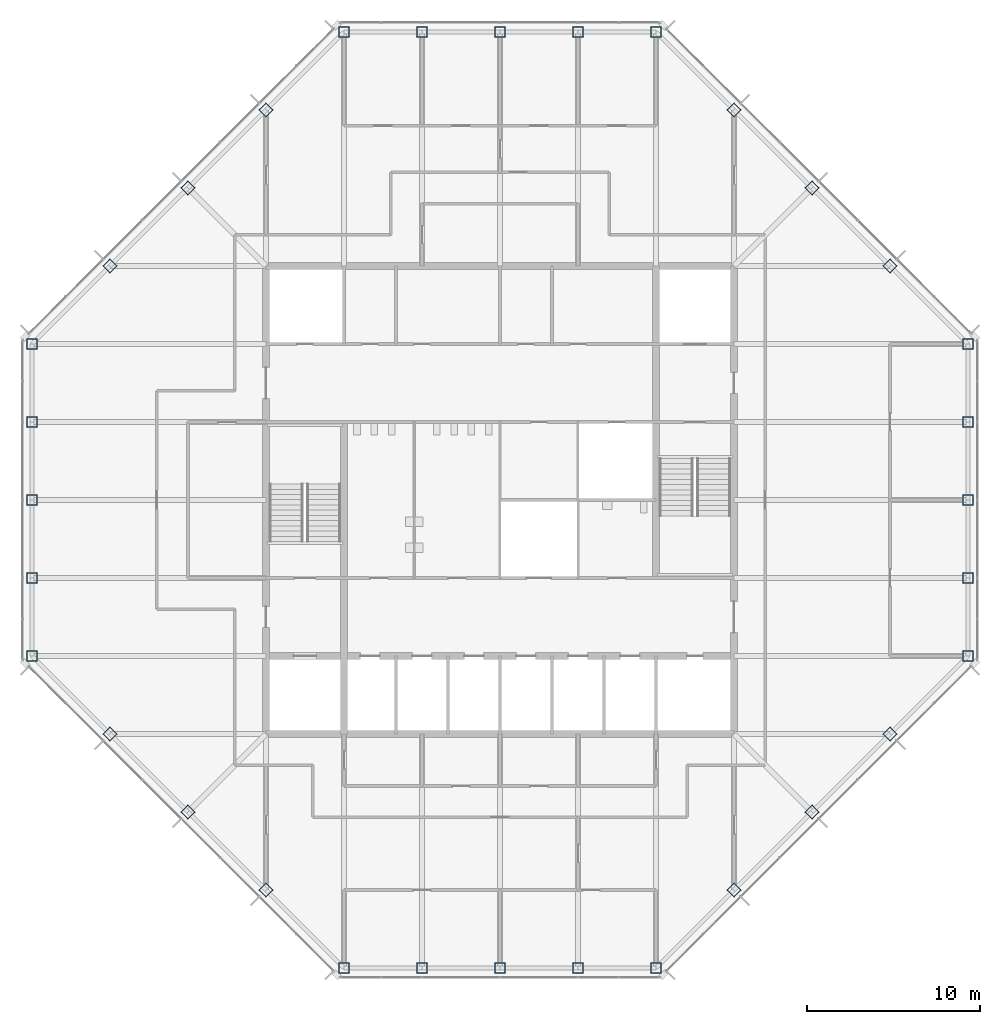
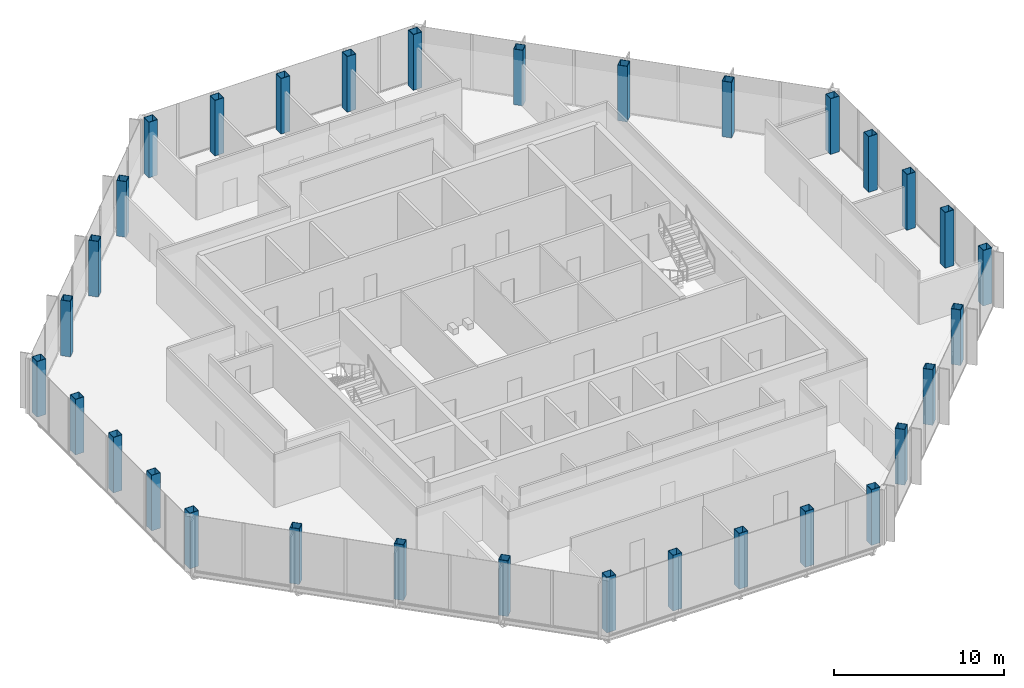
# One storey, part 1 of 14: 32 columns.
"""IFC4 building model written with IfcOpenShell, lengths in metres."""

from ifc_helpers import new_model, si_unit, direction, frame, origin, origin_2d, place, context, subcontext, project, spatial, hollow_rectangle, extrude, material, material_profile, profile_set, type_object, element, save


model = new_model("IFC4")

# Units and contexts
model_context = context("Model", 3, precision=1e-05, world=origin(), true_north=direction((0.0, 1.0)))
body_context = subcontext(model_context, "Body", "Model", "MODEL_VIEW")
ifc_project = project(units=[si_unit("LENGTHUNIT", "METRE"), si_unit("AREAUNIT", "SQUARE_METRE"), si_unit("VOLUMEUNIT", "CUBIC_METRE"), si_unit("PLANEANGLEUNIT", "RADIAN"), si_unit("MASSUNIT", "GRAM", prefix="KILO")], contexts=[model_context])

# Site, building, storey
site_placement = place(None, origin())
site = spatial("IfcSite", under=ifc_project, at=site_placement, CompositionType="ELEMENT")
building_placement = place(site_placement, origin())
building = spatial("IfcBuilding", under=site, at=building_placement, Name="Corais Broadcast Tower", CompositionType="ELEMENT")
storey_placement = place(building_placement, frame((0.0, 0.0, 282.60009765625)))
storey = spatial("IfcBuildingStorey", under=building, at=storey_placement, Name="L66", CompositionType="ELEMENT", Elevation=282.60009765625)

# Columns
ifc_material = material(Name="Steel ASTM A572 Grade 50", Category="steel")
ifc_material_profile = material_profile(ifc_material, hollow_rectangle(XDim=0.60009765625, YDim=0.60009765625, WallThickness=0.028076171875, at=origin_2d()), Name="BOX 600x600x28")
ifc_profile_set = profile_set([ifc_material_profile], Name="Steel ASTM A572 Grade 50")
column_type = type_object("IfcColumnType", Name="Column BOX 600x600x28", PredefinedType="COLUMN", material=ifc_profile_set)
for number, where, z_axis, x_axis, name in (
    (1, (18.0, 0.0, 0.0), (0.0, 0.0, 1.0), (1.0, 0.0, 0.0), "C7 A/7"),
    (2, (22.5, 0.0, 0.0), (0.0, 0.0, 1.0), (1.0, 0.0, 0.0), "C7 A/8"),
    (3, (27.0, 0.0, 0.0), (0.0, 0.0, 1.0), (1.0, 0.0, 0.0), "C7 A/9"),
    (4, (31.5, 0.0, 0.0), (0.0, 0.0, 1.0), (1.0, 0.0, 0.0), "C7 A/10"),
    (5, (36.0, 0.0, 0.0), (0.0, 0.0, 1.0), (1.0, 0.0, 0.0), "C7 A/11"),
    (6, (54.0, 18.0, 0.0), (0.0, 0.0, 1.0), (1.0, 0.0, 0.0), "C7 E/15"),
    (7, (54.0, 22.5, 0.0), (0.0, 0.0, 1.0), (1.0, 0.0, 0.0), "C7 F/15"),
    (8, (54.0, 27.0, 0.0), (0.0, 0.0, 1.0), (1.0, 0.0, 0.0), "C7 G/15"),
    (9, (54.0, 31.5, 0.0), (0.0, 0.0, 1.0), (1.0, 0.0, 0.0), "C7 H/15"),
    (10, (54.0, 36.0, 0.0), (0.0, 0.0, 1.0), (1.0, 0.0, 0.0), "C7 J/15"),
    (11, (36.0, 54.0, 0.0), (0.0, 0.0, 1.0), (1.0, 0.0, 0.0), "C7 N/11"),
    (12, (31.5, 54.0, 0.0), (0.0, 0.0, 1.0), (1.0, 0.0, 0.0), "C7 N/10"),
    (13, (27.0, 54.0, 0.0), (0.0, 0.0, 1.0), (1.0, 0.0, 0.0), "C7 N/9"),
    (14, (22.5, 54.0, 0.0), (0.0, 0.0, 1.0), (1.0, 0.0, 0.0), "C7 N/8"),
    (15, (18.0, 54.0, 0.0), (0.0, 0.0, 1.0), (1.0, 0.0, 0.0), "C7 N/7"),
    (16, (0.0, 36.0, 0.0), (0.0, 0.0, 1.0), (1.0, 0.0, 0.0), "C7 J/3"),
    (17, (0.0, 31.5, 0.0), (0.0, 0.0, 1.0), (1.0, 0.0, 0.0), "C7 H/3"),
    (18, (0.0, 27.0, 0.0), (0.0, 0.0, 1.0), (1.0, 0.0, 0.0), "C7 G/3"),
    (19, (0.0, 22.5, 0.0), (0.0, 0.0, 1.0), (1.0, 0.0, 0.0), "C7 F/3"),
    (20, (0.0, 18.0, 0.0), (0.0, 0.0, 1.0), (1.0, 0.0, 0.0), "C7 E/3"),
    (21, (13.5, 4.5, 0.0), (0.0, 0.0, 1.0), (0.707106781187, 0.707106781187, 0.0), "C7 B/6"),
    (22, (9.0, 9.0, 0.0), (0.0, 0.0, 1.0), (0.707106781187, 0.707106781187, 0.0), "C7 C/5"),
    (23, (4.5, 13.5, 0.0), (0.0, 0.0, 1.0), (0.707106781187, 0.707106781187, 0.0), "C7 D/4"),
    (24, (40.5, 4.5, 0.0), (0.0, 0.0, 1.0), (0.707106781187, 0.707106781187, 0.0), "C7 B/12"),
    (25, (45.0, 9.0, 0.0), (0.0, 0.0, 1.0), (0.707106781187, 0.707106781187, 0.0), "C7 C/13"),
    (26, (49.5, 13.5, 0.0), (0.0, 0.0, 1.0), (0.707106781187, 0.707106781187, 0.0), "C7 D/14"),
    (27, (49.5, 40.5, 0.0), (0.0, 0.0, 1.0), (0.707106781187, 0.707106781187, 0.0), "C7 K/14"),
    (28, (45.0, 45.0, 0.0), (0.0, 0.0, 1.0), (0.707106781187, 0.707106781187, 0.0), "C7 L/13"),
    (29, (40.5, 49.5, 0.0), (0.0, 0.0, 1.0), (0.707106781187, 0.707106781187, 0.0), "C7 M/12"),
    (30, (4.5, 40.5, 0.0), (0.0, 0.0, 1.0), (0.707106781187, 0.707106781187, 0.0), "C7 K/4"),
    (31, (9.0, 45.0, 0.0), (0.0, 0.0, 1.0), (0.707106781187, 0.707106781187, 0.0), "C7 L/5"),
    (32, (13.5, 49.5, 0.0), (0.0, 0.0, 1.0), (0.707106781187, 0.707106781187, 0.0), "C7 M/6"),
):
    element("IfcColumn", number, at=place(storey_placement, frame(where, z_axis=z_axis, x_axis=x_axis)), inside=storey, type_object=column_type, Name=name, PredefinedType="COLUMN", context=body_context, shape_type="SweptSolid", body=[
        extrude(hollow_rectangle(XDim=0.60009765625, YDim=0.60009765625, WallThickness=0.028076171875, at=origin_2d()), origin(), (0.0, 0.0, 1.0), 4.0),
    ])

save(model, "model.ifc")
